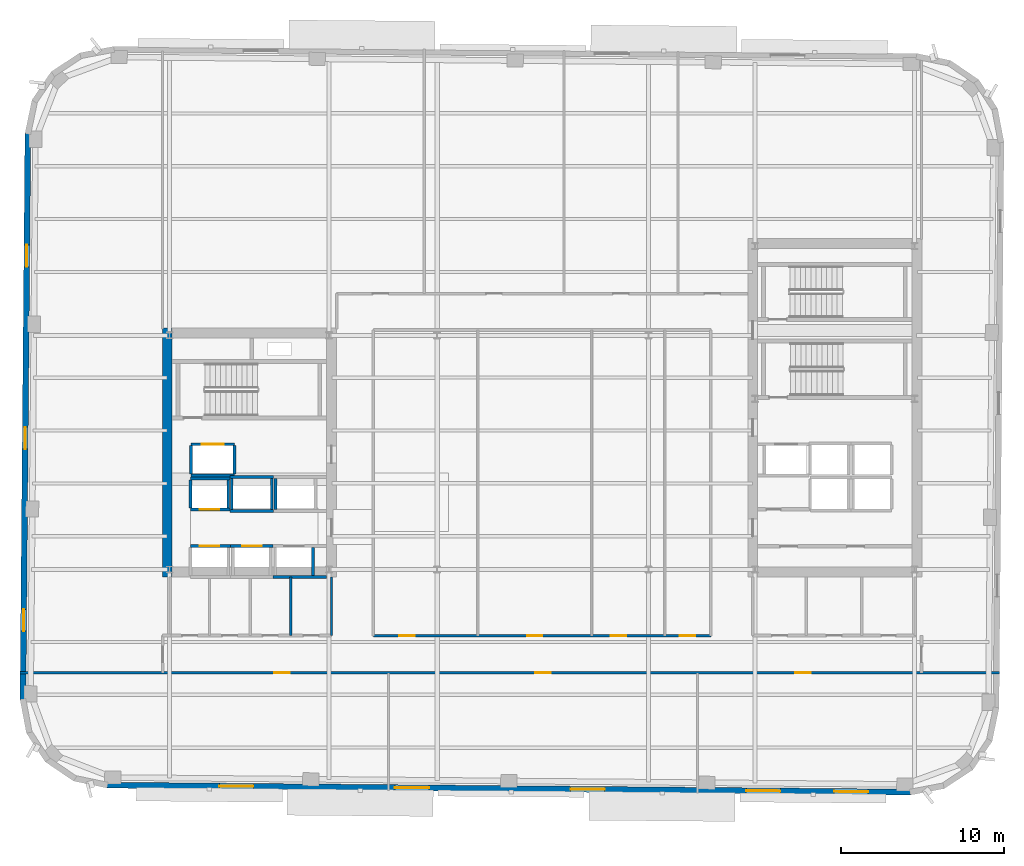
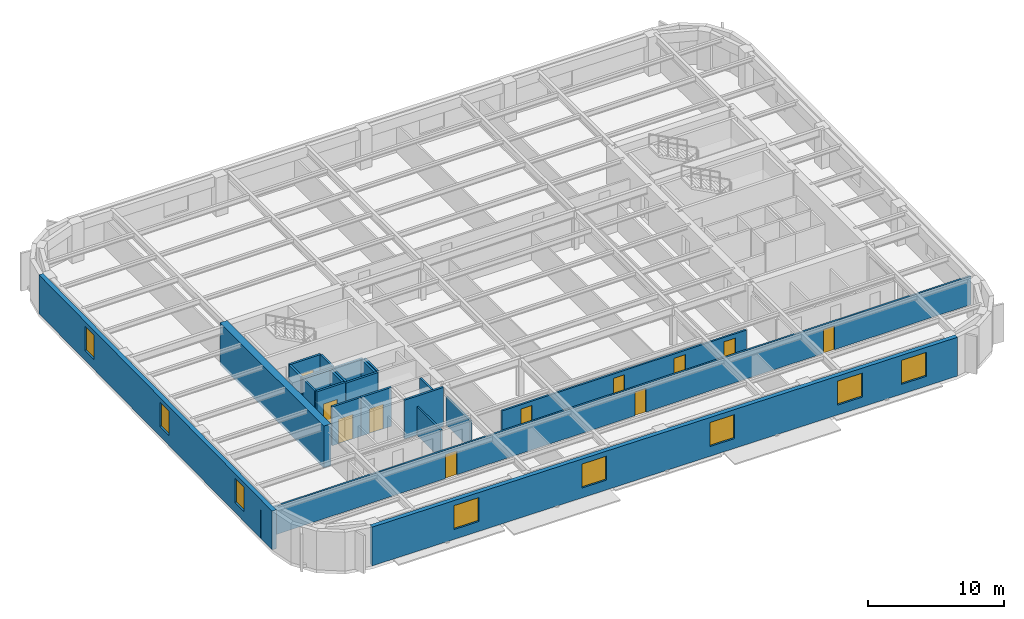
# One storey, part 4 of 12: 24 walls, 11 doors, 8 windows, 19 openings.
"""IFC4 building model written with IfcOpenShell, lengths in metres."""

import ifcopenshell
import ifcopenshell.guid

model = None  # the IFC model being written
_history = None  # IfcOwnerHistory: only IFC2X3 demands one
_inside = {}  # id of a spatial element -> (the spatial element, [elements in it])
_under = {}  # id of a project, library or spatial element -> (it, [spatial elements below it])
_declared = {}  # id of a project -> (the project, [libraries it declares])
_typed = {}  # id of a type object -> (the type object, [elements of that type])
_made_of = {}  # id of a material, layer set ... -> (it, [elements and type objects made of it])


def new_model(schema):
    """Start an empty IFC model of exactly this schema.

    Asked for "IFC4X3", IfcOpenShell would pick the latest addendum, in which some entities
    have other attributes; the version numbers below select the first issue.
    IFC2X3 requires an IfcOwnerHistory on every rooted entity: one is made here for all.
    """
    global model, _history
    if schema == "IFC4X3":
        model = ifcopenshell.file(schema_version=(4, 3, 0, 0))
    else:
        model = ifcopenshell.file(schema=schema)
    _inside.clear()
    _under.clear()
    _declared.clear()
    _typed.clear()
    _made_of.clear()
    _history = None
    if model.schema == "IFC2X3":
        org = make("IfcOrganization", Name="unknown")
        user = make(
            "IfcPersonAndOrganization",
            ThePerson=make("IfcPerson", FamilyName="unknown"),
            TheOrganization=org,
        )
        app = make(
            "IfcApplication",
            ApplicationDeveloper=org,
            Version="unknown",
            ApplicationFullName="unknown",
            ApplicationIdentifier="unknown",
        )
        _history = make(
            "IfcOwnerHistory",
            OwningUser=user,
            OwningApplication=app,
            ChangeAction="ADDED",
            CreationDate=0,
        )
    return model


def make(cls, **values):
    """One entity of the class cls with the attributes given. An attribute that is None is left unset."""
    return model.create_entity(
        cls, **{name: value for name, value in values.items() if value is not None}
    )


def rooted(cls, **values):
    """An entity with a GlobalId (a new one), such as an element, a storey or a relation."""
    return make(cls, GlobalId=ifcopenshell.guid.new(), OwnerHistory=_history, **values)


def si_unit(unit_type, name, prefix=None):
    """IfcSIUnit, for example si_unit("LENGTHUNIT", "METRE", prefix="MILLI")."""
    return make("IfcSIUnit", UnitType=unit_type, Prefix=prefix, Name=name)


def assignment(units):
    """IfcUnitAssignment: the units of a project."""
    return None if units is None else make("IfcUnitAssignment", Units=units)


def point(xyz):
    """IfcCartesianPoint."""
    return None if xyz is None else make("IfcCartesianPoint", Coordinates=xyz)


def direction(xyz):
    """IfcDirection."""
    return None if xyz is None else make("IfcDirection", DirectionRatios=xyz)


def frame(location, z_axis=None, x_axis=None):
    """IfcAxis2Placement3D, a coordinate frame: its origin and axes. An axis left out is left unset."""
    return make(
        "IfcAxis2Placement3D",
        Location=point(location),
        Axis=direction(z_axis),
        RefDirection=direction(x_axis),
    )


def frame_2d(location, x_axis=None):
    """IfcAxis2Placement2D, a coordinate frame in the plane: its origin and x axis."""
    return make(
        "IfcAxis2Placement2D", Location=point(location), RefDirection=direction(x_axis)
    )


def origin():
    """The frame at (0, 0, 0) with its axes left unset."""
    return frame((0.0, 0.0, 0.0))


def place(relative_to, where):
    """IfcLocalPlacement: puts the frame where relative to a parent placement (None: the world)."""
    return make(
        "IfcLocalPlacement", PlacementRelTo=relative_to, RelativePlacement=where
    )


def context(
    kind, dimensions, precision=None, world=None, true_north=None, identifier=None
):
    """IfcGeometricRepresentationContext, for example the 3D "Model" context."""
    return make(
        "IfcGeometricRepresentationContext",
        ContextIdentifier=identifier,
        ContextType=kind,
        CoordinateSpaceDimension=dimensions,
        Precision=precision,
        WorldCoordinateSystem=world,
        TrueNorth=true_north,
    )


def subcontext(parent, identifier, kind, view, scale=None):
    """IfcGeometricRepresentationSubContext, for example "Body" below "Model"."""
    return make(
        "IfcGeometricRepresentationSubContext",
        ContextIdentifier=identifier,
        ContextType=kind,
        ParentContext=parent,
        TargetScale=scale,
        TargetView=view,
    )


def project(units=None, contexts=None):
    """IfcProject with its units and contexts."""
    return rooted(
        "IfcProject",
        Name="project",
        RepresentationContexts=contexts,
        UnitsInContext=assignment(units),
    )


def spatial(cls, under=None, at=None, **own):
    """A site, building, storey or space (cls), placed at a placement, below another one or the project."""
    s = rooted(cls, ObjectPlacement=at, **own)
    if under is not None:
        _under.setdefault(under.id(), (under, []))[1].append(s)
    return s


def profile(cls, at=None, kind="AREA", **sizes):
    """A parametric profile (cls). Its sizes go by their IFC names, for example OverallWidth=200.0."""
    return make(cls, ProfileType=kind, Position=at, **sizes)


def rectangle(**sizes):
    """IfcRectangleProfileDef."""
    return profile("IfcRectangleProfileDef", **sizes)


def extrude(swept, where, along, depth):
    """IfcExtrudedAreaSolid: the profile swept, set in the frame where, extruded along a direction by depth."""
    return make(
        "IfcExtrudedAreaSolid",
        SweptArea=swept,
        Position=where,
        ExtrudedDirection=direction(along),
        Depth=depth,
    )


def shape(context_of_items, identifier, shape_type, items):
    """IfcShapeRepresentation: the items that make up one representation, for example the "Body"."""
    return make(
        "IfcShapeRepresentation",
        ContextOfItems=context_of_items,
        RepresentationIdentifier=identifier,
        RepresentationType=shape_type,
        Items=items,
    )


def material(Name=None, Category=None):
    """IfcMaterial."""
    return make("IfcMaterial", Name=Name, Category=Category)


def layer(
    of_material, thickness, ventilated=None, Name=None, Category=None, Priority=None
):
    """IfcMaterialLayer: one layer of a wall or slab, of a material (None: an air gap)."""
    return make(
        "IfcMaterialLayer",
        Material=of_material,
        LayerThickness=thickness,
        IsVentilated=ventilated,
        Name=Name,
        Category=Category,
        Priority=Priority,
    )


def layer_set(layers, Name=None):
    """IfcMaterialLayerSet."""
    return make("IfcMaterialLayerSet", MaterialLayers=layers, LayerSetName=Name)


def made_of(thing, what):
    """Note that an element or type object is made of a material, layer set ...; save() writes the relation."""
    if what is not None:
        _made_of.setdefault(what.id(), (what, []))[1].append(thing)
    return thing


def type_object(cls, material=None, **own):
    """A type object (cls), such as IfcWallType, which elements share."""
    return made_of(rooted(cls, **own), material)


def element(
    cls,
    number,
    at=None,
    inside=None,
    cuts=None,
    type_object=None,
    material=None,
    context=None,
    identifier="Body",
    shape_type=None,
    held_by="IfcProductDefinitionShape",
    body=None,
    shapes=None,
    **own,
):
    """One element of the class cls, such as IfcWall. Its Tag is "e" and its number.

    at: its placement. inside: the storey or other place that contains it. cuts: it is an
    opening in that element (IfcRelVoidsElement). A single representation is given by context,
    identifier, shape_type and body (its items); several are given by shapes. held_by: the class
    of the entity that holds the representations. save() writes the other relations.
    """
    e = rooted(cls, Tag="e%d" % number, ObjectPlacement=at, **own)
    if body is not None:
        shapes = [shape(context, identifier, shape_type, body)]
    if shapes is not None:
        e.Representation = make(held_by, Representations=shapes)
    if inside is not None:
        _inside.setdefault(inside.id(), (inside, []))[1].append(e)
    if cuts is not None:
        rooted(
            "IfcRelVoidsElement", RelatingBuildingElement=cuts, RelatedOpeningElement=e
        )
    if type_object is not None:
        _typed.setdefault(type_object.id(), (type_object, []))[1].append(e)
    return made_of(e, material)


def fill(opening, filler):
    """IfcRelFillsElement: the door or window that sits in an opening."""
    return rooted(
        "IfcRelFillsElement",
        RelatingOpeningElement=opening,
        RelatedBuildingElement=filler,
    )


def aggregate(whole, parts):
    """IfcRelAggregates: a whole, such as a stair, and the parts it consists of."""
    return rooted("IfcRelAggregates", RelatingObject=whole, RelatedObjects=parts)


def save(model, path):
    """Write the relations noted so far, then the file.

    IfcRelAggregates (storeys below a building ...), IfcRelContainedInSpatialStructure (elements
    in a storey), IfcRelDefinesByType, IfcRelAssociatesMaterial and IfcRelDeclares: one each for
    every whole, place, type object, material and project.
    """
    for whole, parts in _under.values():
        aggregate(whole, parts)
    for where, things in _inside.values():
        rooted(
            "IfcRelContainedInSpatialStructure",
            RelatedElements=things,
            RelatingStructure=where,
        )
    for kind, things in _typed.values():
        rooted("IfcRelDefinesByType", RelatedObjects=things, RelatingType=kind)
    for what, things in _made_of.values():
        rooted("IfcRelAssociatesMaterial", RelatedObjects=things, RelatingMaterial=what)
    for by, libraries in _declared.values():
        rooted("IfcRelDeclares", RelatingContext=by, RelatedDefinitions=libraries)
    model.write(path)


model = new_model("IFC4")

# Units and contexts
model_context = context("Model", 3, precision=1e-05, world=origin(), true_north=direction((0.0, 1.0)))
body_context = subcontext(model_context, "Body", "Model", "MODEL_VIEW")
ifc_project = project(units=[si_unit("LENGTHUNIT", "METRE"), si_unit("AREAUNIT", "SQUARE_METRE"), si_unit("VOLUMEUNIT", "CUBIC_METRE"), si_unit("PLANEANGLEUNIT", "RADIAN"), si_unit("MASSUNIT", "GRAM", prefix="KILO")], contexts=[model_context])

# Site, building, storey
site_placement = place(None, origin())
site = spatial("IfcSite", under=ifc_project, at=site_placement, CompositionType="ELEMENT")
building_placement = place(site_placement, origin())
building = spatial("IfcBuilding", under=site, at=building_placement, Name="Kolvaren Arena Tower", CompositionType="ELEMENT")
storey_placement = place(building_placement, frame((0.0, 0.0, 177.199951171875)))
storey = spatial("IfcBuildingStorey", under=building, at=storey_placement, Name="L42", CompositionType="ELEMENT", Elevation=177.199951171875)

# Wall, openings, doors
ifc_material_1 = material(Name="Gypsum board acoustic assembly", Category="gypsum")
ifc_layer_1 = layer(ifc_material_1, 0.159912109375)
ifc_layer_set_1 = layer_set([ifc_layer_1], Name="Gypsum board acoustic assembly")
wall_type_1 = type_object("IfcWallType", Name="CORR-160", PredefinedType="PARTITIONING", material=ifc_layer_set_1)
wall_1_placement = place(storey_placement, frame((5.363525390625, 13.10009765625, 0.0), z_axis=(0.0, 0.0, 1.0), x_axis=(1.0, 0.0, 0.0)))
wall_1 = element("IfcWall", 1, at=wall_1_placement, inside=storey, type_object=wall_type_1, Name="Interior Partition Wall (L42)", PredefinedType="PARTITIONING", context=body_context, shape_type="SweptSolid", body=[
    extrude(rectangle(XDim=60.202392578125, YDim=0.159912109375, at=frame_2d((30.10107421875, 0.0))), origin(), (0.0, 0.0, 1.0), 2.5400390625),
])
opening_1_placement = place(wall_1_placement, frame((15.611328125, 0.0, 0.0)))
opening_1 = element("IfcOpeningElement", 2, at=opening_1_placement, cuts=wall_1, Name="Opening D05", PredefinedType="OPENING", context=body_context, shape_type="SweptSolid", body=[
    extrude(rectangle(XDim=0.949951171875, YDim=2.14990234375, at=frame_2d((0.47509765625, 1.074951171875))), frame((0.0, 0.08984375, 0.0), z_axis=(0.0, -1.0, 0.0), x_axis=(1.0, 0.0, 0.0)), (0.0, 0.0, 1.0), 0.179931640625),
])
opening_2_placement = place(wall_1_placement, frame((31.661376953125, 0.0, 0.0)))
opening_2 = element("IfcOpeningElement", 3, at=opening_2_placement, cuts=wall_1, Name="Opening D05", PredefinedType="OPENING", context=body_context, shape_type="SweptSolid", body=[
    extrude(rectangle(XDim=0.949951171875, YDim=2.14990234375, at=frame_2d((0.47509765625, 1.074951171875))), frame((0.0, 0.08984375, 0.0), z_axis=(0.0, -1.0, 0.0), x_axis=(1.0, 0.0, 0.0)), (0.0, 0.0, 1.0), 0.179931640625),
])
opening_3_placement = place(wall_1_placement, frame((47.661376953125, 0.0, 0.0)))
opening_3 = element("IfcOpeningElement", 4, at=opening_3_placement, cuts=wall_1, Name="Opening D05", PredefinedType="OPENING", context=body_context, shape_type="SweptSolid", body=[
    extrude(rectangle(XDim=0.949951171875, YDim=2.14990234375, at=frame_2d((0.47509765625, 1.074951171875))), frame((0.0, 0.08984375, 0.0), z_axis=(0.0, -1.0, 0.0), x_axis=(1.0, 0.0, 0.0)), (0.0, 0.0, 1.0), 0.179931640625),
])
ifc_material_2 = material(Name="Solid-core oak acoustic office door", Category="wood")
door_type_1 = type_object("IfcDoorType", Name="DOOR-OF-095", OperationType="NOTDEFINED", PredefinedType="DOOR", material=ifc_material_2)
door_1_placement = place(opening_1_placement, origin())
door_1 = element("IfcDoor", 5, at=door_1_placement, inside=storey, type_object=door_type_1, Name="Collaborative Work Studio Door (L42)", OperationType="SINGLE_SWING_RIGHT", OverallHeight=2.14990234375, OverallWidth=0.949951171875, PredefinedType="DOOR", context=body_context, shape_type="SweptSolid", body=[
    extrude(rectangle(XDim=0.949951171875, YDim=2.14990234375, at=frame_2d((0.47509765625, 1.074951171875))), frame((0.0, 0.02490234375, 0.0), z_axis=(0.0, -1.0, 0.0), x_axis=(1.0, 0.0, 0.0)), (0.0, 0.0, 1.0), 0.050048828125),
])
fill(opening_1, door_1)
door_2_placement = place(opening_2_placement, origin())
door_2 = element("IfcDoor", 6, at=door_2_placement, inside=storey, type_object=door_type_1, Name="Collaborative Work Studio Door (L42)", OperationType="SINGLE_SWING_LEFT", OverallHeight=2.14990234375, OverallWidth=0.949951171875, PredefinedType="DOOR", context=body_context, shape_type="SweptSolid", body=[
    extrude(rectangle(XDim=0.949951171875, YDim=2.14990234375, at=frame_2d((0.47509765625, 1.074951171875))), frame((0.0, 0.02490234375, 0.0), z_axis=(0.0, -1.0, 0.0), x_axis=(1.0, 0.0, 0.0)), (0.0, 0.0, 1.0), 0.050048828125),
])
fill(opening_2, door_2)
door_3_placement = place(opening_3_placement, origin())
door_3 = element("IfcDoor", 7, at=door_3_placement, inside=storey, type_object=door_type_1, Name="Collaborative Work Studio Door (L42)", OperationType="SINGLE_SWING_RIGHT", OverallHeight=2.14990234375, OverallWidth=0.949951171875, PredefinedType="DOOR", context=body_context, shape_type="SweptSolid", body=[
    extrude(rectangle(XDim=0.949951171875, YDim=2.14990234375, at=frame_2d((0.47509765625, 1.074951171875))), frame((0.0, 0.02490234375, 0.0), z_axis=(0.0, -1.0, 0.0), x_axis=(1.0, 0.0, 0.0)), (0.0, 0.0, 1.0), 0.050048828125),
])
fill(opening_3, door_3)

wall_2_placement = place(storey_placement, frame((27.080078125, 15.3798828125, 0.0), z_axis=(0.0, 0.0, 1.0), x_axis=(1.0, 0.0, 0.0)))
wall_2 = element("IfcWall", 8, at=wall_2_placement, inside=storey, type_object=wall_type_1, Name="Interior Partition Wall (L42)", PredefinedType="PARTITIONING", context=body_context, shape_type="SweptSolid", body=[
    extrude(rectangle(XDim=20.739990234375, YDim=0.159912109375, at=frame_2d((10.3701171875, 0.0))), origin(), (0.0, 0.0, 1.0), 2.5400390625),
])
opening_4_placement = place(wall_2_placement, frame((1.594970703125, 0.0, 0.0)))
opening_4 = element("IfcOpeningElement", 9, at=opening_4_placement, cuts=wall_2, Name="Opening D05", PredefinedType="OPENING", context=body_context, shape_type="SweptSolid", body=[
    extrude(rectangle(XDim=0.949951171875, YDim=2.14990234375, at=frame_2d((0.47509765625, 1.074951171875))), frame((0.0, 0.08984375, 0.0), z_axis=(0.0, -1.0, 0.0), x_axis=(1.0, 0.0, 0.0)), (0.0, 0.0, 1.0), 0.179931640625),
])
opening_5_placement = place(wall_2_placement, frame((9.445068359375, 0.0, 0.0)))
opening_5 = element("IfcOpeningElement", 10, at=opening_5_placement, cuts=wall_2, Name="Opening D05", PredefinedType="OPENING", context=body_context, shape_type="SweptSolid", body=[
    extrude(rectangle(XDim=0.949951171875, YDim=2.14990234375, at=frame_2d((0.47509765625, 1.074951171875))), frame((0.0, 0.08984375, 0.0), z_axis=(0.0, -1.0, 0.0), x_axis=(1.0, 0.0, 0.0)), (0.0, 0.0, 1.0), 0.179931640625),
])
opening_6_placement = place(wall_2_placement, frame((14.594970703125, 0.0, 0.0)))
opening_6 = element("IfcOpeningElement", 11, at=opening_6_placement, cuts=wall_2, Name="Opening D05", PredefinedType="OPENING", context=body_context, shape_type="SweptSolid", body=[
    extrude(rectangle(XDim=0.949951171875, YDim=2.14990234375, at=frame_2d((0.47509765625, 1.074951171875))), frame((0.0, 0.08984375, 0.0), z_axis=(0.0, -1.0, 0.0), x_axis=(1.0, 0.0, 0.0)), (0.0, 0.0, 1.0), 0.179931640625),
])
opening_7_placement = place(wall_2_placement, frame((18.844970703125, 0.0, 0.0)))
opening_7 = element("IfcOpeningElement", 12, at=opening_7_placement, cuts=wall_2, Name="Opening D05", PredefinedType="OPENING", context=body_context, shape_type="SweptSolid", body=[
    extrude(rectangle(XDim=0.949951171875, YDim=2.14990234375, at=frame_2d((0.47509765625, 1.074951171875))), frame((0.0, 0.08984375, 0.0), z_axis=(0.0, -1.0, 0.0), x_axis=(1.0, 0.0, 0.0)), (0.0, 0.0, 1.0), 0.179931640625),
])
door_4_placement = place(opening_4_placement, origin())
door_4 = element("IfcDoor", 13, at=door_4_placement, inside=storey, type_object=door_type_1, Name="Collaborative Work Studio Door (L42)", OperationType="SINGLE_SWING_LEFT", OverallHeight=2.14990234375, OverallWidth=0.949951171875, PredefinedType="DOOR", context=body_context, shape_type="SweptSolid", body=[
    extrude(rectangle(XDim=0.949951171875, YDim=2.14990234375, at=frame_2d((0.47509765625, 1.074951171875))), frame((0.0, 0.02490234375, 0.0), z_axis=(0.0, -1.0, 0.0), x_axis=(1.0, 0.0, 0.0)), (0.0, 0.0, 1.0), 0.050048828125),
])
fill(opening_4, door_4)
door_5_placement = place(opening_5_placement, origin())
door_5 = element("IfcDoor", 14, at=door_5_placement, inside=storey, type_object=door_type_1, Name="Collaborative Work Studio Door (L42)", OperationType="SINGLE_SWING_RIGHT", OverallHeight=2.14990234375, OverallWidth=0.949951171875, PredefinedType="DOOR", context=body_context, shape_type="SweptSolid", body=[
    extrude(rectangle(XDim=0.949951171875, YDim=2.14990234375, at=frame_2d((0.47509765625, 1.074951171875))), frame((0.0, 0.02490234375, 0.0), z_axis=(0.0, -1.0, 0.0), x_axis=(1.0, 0.0, 0.0)), (0.0, 0.0, 1.0), 0.050048828125),
])
fill(opening_5, door_5)
door_6_placement = place(opening_6_placement, origin())
door_6 = element("IfcDoor", 15, at=door_6_placement, inside=storey, type_object=door_type_1, Name="Executive Office Door (L42)", OperationType="SINGLE_SWING_LEFT", OverallHeight=2.14990234375, OverallWidth=0.949951171875, PredefinedType="DOOR", context=body_context, shape_type="SweptSolid", body=[
    extrude(rectangle(XDim=0.949951171875, YDim=2.14990234375, at=frame_2d((0.47509765625, 1.074951171875))), frame((0.0, 0.02490234375, 0.0), z_axis=(0.0, -1.0, 0.0), x_axis=(1.0, 0.0, 0.0)), (0.0, 0.0, 1.0), 0.050048828125),
])
fill(opening_6, door_6)
door_7_placement = place(opening_7_placement, origin())
door_7 = element("IfcDoor", 16, at=door_7_placement, inside=storey, type_object=door_type_1, Name="Boardroom Door (L42)", OperationType="SINGLE_SWING_RIGHT", OverallHeight=2.14990234375, OverallWidth=0.949951171875, PredefinedType="DOOR", context=body_context, shape_type="SweptSolid", body=[
    extrude(rectangle(XDim=0.949951171875, YDim=2.14990234375, at=frame_2d((0.47509765625, 1.074951171875))), frame((0.0, 0.02490234375, 0.0), z_axis=(0.0, -1.0, 0.0), x_axis=(1.0, 0.0, 0.0)), (0.0, 0.0, 1.0), 0.050048828125),
])
fill(opening_7, door_7)

# Wall
ifc_material_3 = material(Name="Concrete 60 MPa", Category="concrete")
ifc_layer_2 = layer(ifc_material_3, 0.60009765625)
ifc_layer_set_2 = layer_set([ifc_layer_2], Name="Concrete 60 MPa")
wall_type_2 = type_object("IfcWallType", Name="CWALL-600", PredefinedType="SHEAR", material=ifc_layer_set_2)
wall_3_placement = place(storey_placement, frame((14.39990234375, 19.0, -0.27001953125), z_axis=(0.0, 0.0, 1.0), x_axis=(0.0, 1.0, 0.0)))
element("IfcWall", 17, at=wall_3_placement, inside=storey, type_object=wall_type_2, Name="Core Shear Wall WC-WEST (L42)", PredefinedType="SHEAR", context=body_context, shape_type="SweptSolid", body=[
    extrude(rectangle(XDim=15.300048828125, YDim=0.60009765625, at=frame_2d((7.64990234375, 0.0))), origin(), (0.0, 0.0, 1.0), 3.75),
])

# Wall, openings, windows
ifc_material_4 = material(Name="Precast concrete C50/60", Category="concrete")
ifc_layer_3 = layer(ifc_material_4, 0.360107421875)
ifc_layer_set_3 = layer_set([ifc_layer_3], Name="Precast concrete C50/60")
wall_type_3 = type_object("IfcWallType", Name="EXT-PIER2", PredefinedType="SOLIDWALL", material=ifc_layer_set_3)
wall_4_placement = place(storey_placement, frame((5.529296875, 11.461669921875, 0.0), z_axis=(0.0, 0.0, 1.0), x_axis=(0.008727287311, 0.999961916503, 0.0)))
wall_4 = element("IfcWall", 18, at=wall_4_placement, inside=storey, type_object=wall_type_3, Name="Exterior Precast Masonry-Frame Wall (L42)", PredefinedType="SOLIDWALL", context=body_context, shape_type="SweptSolid", body=[
    extrude(rectangle(XDim=34.800048828125, YDim=0.360107421875, at=frame_2d((17.39990234375, 0.0))), origin(), (0.0, 0.0, 1.0), 3.47998046875),
])
opening_8_placement = place(wall_4_placement, frame((4.199951171875, 0.0, 0.8798828125)))
opening_8 = element("IfcOpeningElement", 19, at=opening_8_placement, cuts=wall_4, Name="Opening W04", PredefinedType="OPENING", context=body_context, shape_type="SweptSolid", body=[
    extrude(rectangle(XDim=1.35009765625, YDim=2.199951171875, at=frame_2d((0.675048828125, 1.10009765625))), frame((0.0, 0.18994140625, 0.0), z_axis=(0.0, -1.0, 0.0), x_axis=(1.0, 0.0, 0.0)), (0.0, 0.0, 1.0), 0.380126953125),
])
opening_9_placement = place(wall_4_placement, frame((15.39990234375, 0.0, 0.8798828125)))
opening_9 = element("IfcOpeningElement", 20, at=opening_9_placement, cuts=wall_4, Name="Opening W04", PredefinedType="OPENING", context=body_context, shape_type="SweptSolid", body=[
    extrude(rectangle(XDim=1.35009765625, YDim=2.199951171875, at=frame_2d((0.675048828125, 1.10009765625))), frame((0.0, 0.18994140625, 0.0), z_axis=(0.0, -1.0, 0.0), x_axis=(1.0, 0.0, 0.0)), (0.0, 0.0, 1.0), 0.380126953125),
])
opening_10_placement = place(wall_4_placement, frame((26.60009765625, 0.0, 0.8798828125)))
opening_10 = element("IfcOpeningElement", 21, at=opening_10_placement, cuts=wall_4, Name="Opening W04", PredefinedType="OPENING", context=body_context, shape_type="SweptSolid", body=[
    extrude(rectangle(XDim=1.35009765625, YDim=2.199951171875, at=frame_2d((0.675048828125, 1.10009765625))), frame((0.0, 0.18994140625, 0.0), z_axis=(0.0, -1.0, 0.0), x_axis=(1.0, 0.0, 0.0)), (0.0, 0.0, 1.0), 0.380126953125),
])
ifc_material_5 = material(Name="Triple-glazed curved-facet corner window", Category="glass")
window_type_1 = type_object("IfcWindowType", Name="WIN-CRN-A", PartitioningType="SINGLE_PANEL", PredefinedType="WINDOW", material=ifc_material_5)
window_1_placement = place(opening_8_placement, origin())
window_1 = element("IfcWindow", 22, at=window_1_placement, inside=storey, type_object=window_type_1, Name="End-Wall Punched Window (L42)", OverallHeight=2.199951171875, OverallWidth=1.35009765625, PartitioningType="SINGLE_PANEL", PredefinedType="WINDOW", context=body_context, shape_type="SweptSolid", body=[
    extrude(rectangle(XDim=1.35009765625, YDim=2.199951171875, at=frame_2d((0.675048828125, 1.10009765625))), frame((0.0, 0.030029296875, 0.0), z_axis=(0.0, -1.0, 0.0), x_axis=(1.0, 0.0, 0.0)), (0.0, 0.0, 1.0), 0.06005859375),
])
fill(opening_8, window_1)
window_2_placement = place(opening_9_placement, origin())
window_2 = element("IfcWindow", 23, at=window_2_placement, inside=storey, type_object=window_type_1, Name="End-Wall Punched Window (L42)", OverallHeight=2.199951171875, OverallWidth=1.35009765625, PartitioningType="SINGLE_PANEL", PredefinedType="WINDOW", context=body_context, shape_type="SweptSolid", body=[
    extrude(rectangle(XDim=1.35009765625, YDim=2.199951171875, at=frame_2d((0.675048828125, 1.10009765625))), frame((0.0, 0.030029296875, 0.0), z_axis=(0.0, -1.0, 0.0), x_axis=(1.0, 0.0, 0.0)), (0.0, 0.0, 1.0), 0.06005859375),
])
fill(opening_9, window_2)
window_3_placement = place(opening_10_placement, origin())
window_3 = element("IfcWindow", 24, at=window_3_placement, inside=storey, type_object=window_type_1, Name="End-Wall Punched Window (L42)", OverallHeight=2.199951171875, OverallWidth=1.35009765625, PartitioningType="SINGLE_PANEL", PredefinedType="WINDOW", context=body_context, shape_type="SweptSolid", body=[
    extrude(rectangle(XDim=1.35009765625, YDim=2.199951171875, at=frame_2d((0.675048828125, 1.10009765625))), frame((0.0, 0.030029296875, 0.0), z_axis=(0.0, -1.0, 0.0), x_axis=(1.0, 0.0, 0.0)), (0.0, 0.0, 1.0), 0.06005859375),
])
fill(opening_10, window_3)

wall_5_placement = place(storey_placement, frame((60.101806640625, 5.765380859375, 0.0), z_axis=(0.0, 0.0, 1.0), x_axis=(-0.999961955436, 0.008722825272, 0.0)))
wall_5 = element("IfcWall", 25, at=wall_5_placement, inside=storey, type_object=wall_type_3, Name="Exterior Precast Masonry-Frame Wall (L42)", PredefinedType="SOLIDWALL", context=body_context, shape_type="SweptSolid", body=[
    extrude(rectangle(XDim=49.400146484375, YDim=0.360107421875, at=frame_2d((24.7001953125, 0.0))), origin(), (0.0, 0.0, 1.0), 3.47998046875),
])
opening_11_placement = place(wall_5_placement, frame((2.60009765625, 0.0, 0.8798828125)))
opening_11 = element("IfcOpeningElement", 26, at=opening_11_placement, cuts=wall_5, Name="Opening W01", PredefinedType="OPENING", context=body_context, shape_type="SweptSolid", body=[
    extrude(rectangle(XDim=2.10009765625, YDim=2.14990234375, at=frame_2d((1.050048828125, 1.074951171875))), frame((0.0, 0.18994140625, 0.0), z_axis=(0.0, -1.0, 0.0), x_axis=(1.0, 0.0, 0.0)), (0.0, 0.0, 1.0), 0.380126953125),
])
opening_12_placement = place(wall_5_placement, frame((8.0, 0.0, 0.8798828125)))
opening_12 = element("IfcOpeningElement", 27, at=opening_12_placement, cuts=wall_5, Name="Opening W01", PredefinedType="OPENING", context=body_context, shape_type="SweptSolid", body=[
    extrude(rectangle(XDim=2.10009765625, YDim=2.14990234375, at=frame_2d((1.050048828125, 1.074951171875))), frame((0.0, 0.18994140625, 0.0), z_axis=(0.0, -1.0, 0.0), x_axis=(1.0, 0.0, 0.0)), (0.0, 0.0, 1.0), 0.380126953125),
])
opening_13_placement = place(wall_5_placement, frame((18.800048828125, 0.0, 0.8798828125)))
opening_13 = element("IfcOpeningElement", 28, at=opening_13_placement, cuts=wall_5, Name="Opening W01", PredefinedType="OPENING", context=body_context, shape_type="SweptSolid", body=[
    extrude(rectangle(XDim=2.10009765625, YDim=2.14990234375, at=frame_2d((1.050048828125, 1.074951171875))), frame((0.0, 0.18994140625, 0.0), z_axis=(0.0, -1.0, 0.0), x_axis=(1.0, 0.0, 0.0)), (0.0, 0.0, 1.0), 0.380126953125),
])
opening_14_placement = place(wall_5_placement, frame((29.60009765625, 0.0, 0.8798828125)))
opening_14 = element("IfcOpeningElement", 29, at=opening_14_placement, cuts=wall_5, Name="Opening W01", PredefinedType="OPENING", context=body_context, shape_type="SweptSolid", body=[
    extrude(rectangle(XDim=2.10009765625, YDim=2.14990234375, at=frame_2d((1.050048828125, 1.074951171875))), frame((0.0, 0.18994140625, 0.0), z_axis=(0.0, -1.0, 0.0), x_axis=(1.0, 0.0, 0.0)), (0.0, 0.0, 1.0), 0.380126953125),
])
opening_15_placement = place(wall_5_placement, frame((40.39990234375, 0.0, 0.8798828125)))
opening_15 = element("IfcOpeningElement", 30, at=opening_15_placement, cuts=wall_5, Name="Opening W01", PredefinedType="OPENING", context=body_context, shape_type="SweptSolid", body=[
    extrude(rectangle(XDim=2.10009765625, YDim=2.14990234375, at=frame_2d((1.050048828125, 1.074951171875))), frame((0.0, 0.18994140625, 0.0), z_axis=(0.0, -1.0, 0.0), x_axis=(1.0, 0.0, 0.0)), (0.0, 0.0, 1.0), 0.380126953125),
])
ifc_material_6 = material(Name="Triple-glazed low-E aluminium window", Category="aluminium")
window_type_2 = type_object("IfcWindowType", Name="WIN-OFF-A", PartitioningType="DOUBLE_PANEL_VERTICAL", PredefinedType="WINDOW", material=ifc_material_6)
window_4_placement = place(opening_11_placement, origin())
window_4 = element("IfcWindow", 31, at=window_4_placement, inside=storey, type_object=window_type_2, Name="Punched Precast-Pier Window (L42)", OverallHeight=2.14990234375, OverallWidth=2.10009765625, PartitioningType="DOUBLE_PANEL_VERTICAL", PredefinedType="WINDOW", context=body_context, shape_type="SweptSolid", body=[
    extrude(rectangle(XDim=2.10009765625, YDim=2.14990234375, at=frame_2d((1.050048828125, 1.074951171875))), frame((0.0, 0.030029296875, 0.0), z_axis=(0.0, -1.0, 0.0), x_axis=(1.0, 0.0, 0.0)), (0.0, 0.0, 1.0), 0.06005859375),
])
fill(opening_11, window_4)
window_5_placement = place(opening_12_placement, origin())
window_5 = element("IfcWindow", 32, at=window_5_placement, inside=storey, type_object=window_type_2, Name="Punched Precast-Pier Window (L42)", OverallHeight=2.14990234375, OverallWidth=2.10009765625, PartitioningType="DOUBLE_PANEL_VERTICAL", PredefinedType="WINDOW", context=body_context, shape_type="SweptSolid", body=[
    extrude(rectangle(XDim=2.10009765625, YDim=2.14990234375, at=frame_2d((1.050048828125, 1.074951171875))), frame((0.0, 0.030029296875, 0.0), z_axis=(0.0, -1.0, 0.0), x_axis=(1.0, 0.0, 0.0)), (0.0, 0.0, 1.0), 0.06005859375),
])
fill(opening_12, window_5)
window_6_placement = place(opening_13_placement, origin())
window_6 = element("IfcWindow", 33, at=window_6_placement, inside=storey, type_object=window_type_2, Name="Punched Precast-Pier Window (L42)", OverallHeight=2.14990234375, OverallWidth=2.10009765625, PartitioningType="DOUBLE_PANEL_VERTICAL", PredefinedType="WINDOW", context=body_context, shape_type="SweptSolid", body=[
    extrude(rectangle(XDim=2.10009765625, YDim=2.14990234375, at=frame_2d((1.050048828125, 1.074951171875))), frame((0.0, 0.030029296875, 0.0), z_axis=(0.0, -1.0, 0.0), x_axis=(1.0, 0.0, 0.0)), (0.0, 0.0, 1.0), 0.06005859375),
])
fill(opening_13, window_6)
window_7_placement = place(opening_14_placement, origin())
window_7 = element("IfcWindow", 34, at=window_7_placement, inside=storey, type_object=window_type_2, Name="Punched Precast-Pier Window (L42)", OverallHeight=2.14990234375, OverallWidth=2.10009765625, PartitioningType="DOUBLE_PANEL_VERTICAL", PredefinedType="WINDOW", context=body_context, shape_type="SweptSolid", body=[
    extrude(rectangle(XDim=2.10009765625, YDim=2.14990234375, at=frame_2d((1.050048828125, 1.074951171875))), frame((0.0, 0.030029296875, 0.0), z_axis=(0.0, -1.0, 0.0), x_axis=(1.0, 0.0, 0.0)), (0.0, 0.0, 1.0), 0.06005859375),
])
fill(opening_14, window_7)
window_8_placement = place(opening_15_placement, origin())
window_8 = element("IfcWindow", 35, at=window_8_placement, inside=storey, type_object=window_type_2, Name="Punched Precast-Pier Window (L42)", OverallHeight=2.14990234375, OverallWidth=2.10009765625, PartitioningType="DOUBLE_PANEL_VERTICAL", PredefinedType="WINDOW", context=body_context, shape_type="SweptSolid", body=[
    extrude(rectangle(XDim=2.10009765625, YDim=2.14990234375, at=frame_2d((1.050048828125, 1.074951171875))), frame((0.0, 0.030029296875, 0.0), z_axis=(0.0, -1.0, 0.0), x_axis=(1.0, 0.0, 0.0)), (0.0, 0.0, 1.0), 0.06005859375),
])
fill(opening_15, window_8)

# Wall, opening, door
ifc_material_7 = material(Name="Concrete 45 MPa", Category="concrete")
ifc_layer_4 = layer(ifc_material_7, 0.25)
ifc_layer_set_4 = layer_set([ifc_layer_4], Name="Concrete 45 MPa")
wall_type_4 = type_object("IfcWallType", Name="SHAFT-250", PredefinedType="SOLIDWALL", material=ifc_layer_set_4)
wall_6_placement = place(storey_placement, frame((15.844970703125, 20.905029296875, 0.0), z_axis=(0.0, 0.0, 1.0), x_axis=(1.0, 0.0, 0.0)))
wall_6 = element("IfcWall", 36, at=wall_6_placement, inside=storey, type_object=wall_type_4, Name="Core Shaft Wall (L42)", PredefinedType="SOLIDWALL", context=body_context, shape_type="SweptSolid", body=[
    extrude(rectangle(XDim=2.455078125, YDim=0.179931640625, at=frame_2d((1.2275390625, 0.0))), origin(), (0.0, 0.0, 1.0), 3.47998046875),
])
opening_16_placement = place(wall_6_placement, frame((0.554931640625, 0.0, 0.0)))
opening_16 = element("IfcOpeningElement", 37, at=opening_16_placement, cuts=wall_6, Name="Opening LD1", PredefinedType="OPENING", context=body_context, shape_type="SweptSolid", body=[
    extrude(rectangle(XDim=1.199951171875, YDim=2.199951171875, at=frame_2d((0.60009765625, 1.10009765625))), frame((0.0, 0.099853515625, 0.0), z_axis=(0.0, -1.0, 0.0), x_axis=(1.0, 0.0, 0.0)), (0.0, 0.0, 1.0), 0.199951171875),
])
ifc_material_8 = material(Name="Stainless steel passenger lift landing door", Category="steel")
door_type_2 = type_object("IfcDoorType", Name="DOOR-LD-120", OperationType="DOUBLE_DOOR_SLIDING", PredefinedType="DOOR", material=ifc_material_8)
door_8_placement = place(opening_16_placement, origin())
door_8 = element("IfcDoor", 38, at=door_8_placement, inside=storey, type_object=door_type_2, Name="Lift EL-MR1 Landing Door (L42)", OperationType="DOUBLE_DOOR_SLIDING", OverallHeight=2.199951171875, OverallWidth=1.199951171875, PredefinedType="DOOR", context=body_context, shape_type="SweptSolid", body=[
    extrude(rectangle(XDim=1.199951171875, YDim=2.199951171875, at=frame_2d((0.60009765625, 1.10009765625))), frame((0.0, 0.02490234375, 0.0), z_axis=(0.0, -1.0, 0.0), x_axis=(1.0, 0.0, 0.0)), (0.0, 0.0, 1.0), 0.050048828125),
])
fill(opening_16, door_8)

wall_7_placement = place(storey_placement, frame((18.300048828125, 20.905029296875, 0.0), z_axis=(0.0, 0.0, 1.0), x_axis=(1.0, 0.0, 0.0)))
wall_7 = element("IfcWall", 39, at=wall_7_placement, inside=storey, type_object=wall_type_4, Name="Core Shaft Wall (L42)", PredefinedType="SOLIDWALL", context=body_context, shape_type="SweptSolid", body=[
    extrude(rectangle(XDim=2.599853515625, YDim=0.179931640625, at=frame_2d((1.2998046875, 0.0))), origin(), (0.0, 0.0, 1.0), 3.47998046875),
])
opening_17_placement = place(wall_7_placement, frame((0.699951171875, 0.0, 0.0)))
opening_17 = element("IfcOpeningElement", 40, at=opening_17_placement, cuts=wall_7, Name="Opening LD1", PredefinedType="OPENING", context=body_context, shape_type="SweptSolid", body=[
    extrude(rectangle(XDim=1.199951171875, YDim=2.199951171875, at=frame_2d((0.60009765625, 1.10009765625))), frame((0.0, 0.099853515625, 0.0), z_axis=(0.0, -1.0, 0.0), x_axis=(1.0, 0.0, 0.0)), (0.0, 0.0, 1.0), 0.199951171875),
])
door_9_placement = place(opening_17_placement, origin())
door_9 = element("IfcDoor", 41, at=door_9_placement, inside=storey, type_object=door_type_2, Name="Lift EL-MR2 Landing Door (L42)", OperationType="DOUBLE_DOOR_SLIDING", OverallHeight=2.199951171875, OverallWidth=1.199951171875, PredefinedType="DOOR", context=body_context, shape_type="SweptSolid", body=[
    extrude(rectangle(XDim=1.199951171875, YDim=2.199951171875, at=frame_2d((0.60009765625, 1.10009765625))), frame((0.0, 0.02490234375, 0.0), z_axis=(0.0, -1.0, 0.0), x_axis=(1.0, 0.0, 0.0)), (0.0, 0.0, 1.0), 0.050048828125),
])
fill(opening_17, door_9)

# Walls
wall_8_placement = place(storey_placement, frame((20.89990234375, 18.9951171875, 0.0), z_axis=(0.0, 0.0, 1.0), x_axis=(1.0, 0.0, 0.0)))
element("IfcWall", 42, at=wall_8_placement, inside=storey, type_object=wall_type_4, Name="Core Shaft Wall (L42)", PredefinedType="SOLIDWALL", context=body_context, shape_type="SweptSolid", body=[
    extrude(rectangle(XDim=3.300048828125, YDim=0.179931640625, at=frame_2d((1.64990234375, 0.0))), origin(), (0.0, 0.0, 1.0), 3.47998046875),
])
wall_9_placement = place(storey_placement, frame((23.35498046875, 19.0849609375, 0.0), z_axis=(0.0, 0.0, 1.0), x_axis=(0.0, 1.0, 0.0)))
element("IfcWall", 43, at=wall_9_placement, inside=storey, type_object=wall_type_4, Name="Core Shaft Wall (L42)", PredefinedType="SOLIDWALL", context=body_context, shape_type="SweptSolid", body=[
    extrude(rectangle(XDim=1.72998046875, YDim=0.179931640625, at=frame_2d((0.864990234375, 0.0))), origin(), (0.0, 0.0, 1.0), 3.47998046875),
])
wall_10_placement = place(storey_placement, frame((15.844970703125, 25.054931640625, 0.0), z_axis=(0.0, 0.0, 1.0), x_axis=(1.0, 0.0, 0.0)))
element("IfcWall", 44, at=wall_10_placement, inside=storey, type_object=wall_type_4, Name="Core Shaft Wall (L42)", PredefinedType="SOLIDWALL", context=body_context, shape_type="SweptSolid", body=[
    extrude(rectangle(XDim=2.41748046875, YDim=0.179931640625, at=frame_2d((1.208740234375, 0.0))), origin(), (0.0, 0.0, 1.0), 3.47998046875),
])

# Wall, opening, door
wall_11_placement = place(storey_placement, frame((15.844970703125, 23.14501953125, 0.0), z_axis=(0.0, 0.0, 1.0), x_axis=(1.0, 0.0, 0.0)))
wall_11 = element("IfcWall", 45, at=wall_11_placement, inside=storey, type_object=wall_type_4, Name="Core Shaft Wall (L42)", PredefinedType="SOLIDWALL", context=body_context, shape_type="SweptSolid", body=[
    extrude(rectangle(XDim=2.41748046875, YDim=0.179931640625, at=frame_2d((1.208740234375, 0.0))), origin(), (0.0, 0.0, 1.0), 3.47998046875),
])
opening_18_placement = place(wall_11_placement, frame((0.554931640625, 0.0, 0.0)))
opening_18 = element("IfcOpeningElement", 46, at=opening_18_placement, cuts=wall_11, Name="Opening LD1", PredefinedType="OPENING", context=body_context, shape_type="SweptSolid", body=[
    extrude(rectangle(XDim=1.199951171875, YDim=2.199951171875, at=frame_2d((0.60009765625, 1.10009765625))), frame((0.0, 0.099853515625, 0.0), z_axis=(0.0, -1.0, 0.0), x_axis=(1.0, 0.0, 0.0)), (0.0, 0.0, 1.0), 0.199951171875),
])
door_10_placement = place(opening_18_placement, origin())
door_10 = element("IfcDoor", 47, at=door_10_placement, inside=storey, type_object=door_type_2, Name="Lift EL-MR4 Landing Door (L42)", OperationType="DOUBLE_DOOR_SLIDING", OverallHeight=2.199951171875, OverallWidth=1.199951171875, PredefinedType="DOOR", context=body_context, shape_type="SweptSolid", body=[
    extrude(rectangle(XDim=1.199951171875, YDim=2.199951171875, at=frame_2d((0.60009765625, 1.10009765625))), frame((0.0, 0.02490234375, 0.0), z_axis=(0.0, -1.0, 0.0), x_axis=(1.0, 0.0, 0.0)), (0.0, 0.0, 1.0), 0.050048828125),
])
fill(opening_18, door_10)

# Walls
for number, where, z_axis, x_axis, name in (
    (48, (15.844970703125, 23.235107421875, 0.0), (0.0, 0.0, 1.0), (0.0, 1.0, 0.0), "Core Shaft Wall (L42)"),
    (49, (18.155029296875, 23.235107421875, 0.0), (0.0, 0.0, 1.0), (0.0, 1.0, 0.0), "Core Shaft Wall (L42)"),
):
    element("IfcWall", number, at=place(storey_placement, frame(where, z_axis=z_axis, x_axis=x_axis)), inside=storey, type_object=wall_type_4, Name=name, PredefinedType="SOLIDWALL", context=body_context, shape_type="SweptSolid", body=[
        extrude(rectangle(XDim=1.72998046875, YDim=0.179931640625, at=frame_2d((0.864990234375, 0.0))), origin(), (0.0, 0.0, 1.0), 3.47998046875),
    ])
for number, where, z_axis, x_axis, name in (
    (50, (18.262451171875, 25.155029296875, 0.0), (0.0, 0.0, 1.0), (1.0, 0.0, 0.0), "Core Shaft Wall (L42)"),
    (51, (18.262451171875, 23.044921875, 0.0), (0.0, 0.0, 1.0), (1.0, 0.0, 0.0), "Core Shaft Wall (L42)"),
):
    element("IfcWall", number, at=place(storey_placement, frame(where, z_axis=z_axis, x_axis=x_axis)), inside=storey, type_object=wall_type_4, Name=name, PredefinedType="SOLIDWALL", context=body_context, shape_type="SweptSolid", body=[
        extrude(rectangle(XDim=2.6875, YDim=0.179931640625, at=frame_2d((1.34375, 0.0))), origin(), (0.0, 0.0, 1.0), 3.47998046875),
    ])
for number, where, z_axis, x_axis, name in (
    (52, (18.3701171875, 23.135009765625, 0.0), (0.0, 0.0, 1.0), (0.0, 1.0, 0.0), "Core Shaft Wall (L42)"),
    (53, (20.830078125, 23.135009765625, 0.0), (0.0, 0.0, 1.0), (0.0, 1.0, 0.0), "Core Shaft Wall (L42)"),
    (54, (21.070068359375, 23.135009765625, 0.0), (0.0, 0.0, 1.0), (0.0, 1.0, 0.0), "Core Shaft Wall (L42)"),
):
    element("IfcWall", number, at=place(storey_placement, frame(where, z_axis=z_axis, x_axis=x_axis)), inside=storey, type_object=wall_type_4, Name=name, PredefinedType="SOLIDWALL", context=body_context, shape_type="SweptSolid", body=[
        extrude(rectangle(XDim=1.929931640625, YDim=0.179931640625, at=frame_2d((0.96484375, 0.0))), origin(), (0.0, 0.0, 1.0), 3.47998046875),
    ])

# Wall, opening, door
wall_12_placement = place(storey_placement, frame((15.8701171875, 27.155029296875, 0.0), z_axis=(0.0, 0.0, 1.0), x_axis=(1.0, 0.0, 0.0)))
wall_12 = element("IfcWall", 55, at=wall_12_placement, inside=storey, type_object=wall_type_4, Name="Core Shaft Wall (L42)", PredefinedType="SOLIDWALL", context=body_context, shape_type="SweptSolid", body=[
    extrude(rectangle(XDim=2.659912109375, YDim=0.179931640625, at=frame_2d((1.330078125, 0.0))), origin(), (0.0, 0.0, 1.0), 3.47998046875),
])
opening_19_placement = place(wall_12_placement, frame((0.655029296875, 0.0, 0.0)))
opening_19 = element("IfcOpeningElement", 56, at=opening_19_placement, cuts=wall_12, Name="Opening LD2", PredefinedType="OPENING", context=body_context, shape_type="SweptSolid", body=[
    extrude(rectangle(XDim=1.35009765625, YDim=2.300048828125, at=frame_2d((0.675048828125, 1.14990234375))), frame((0.0, 0.099853515625, 0.0), z_axis=(0.0, -1.0, 0.0), x_axis=(1.0, 0.0, 0.0)), (0.0, 0.0, 1.0), 0.199951171875),
])
ifc_material_9 = material(Name="Stainless steel firefighter lift landing door", Category="steel")
door_type_3 = type_object("IfcDoorType", Name="DOOR-LD-135", OperationType="DOUBLE_DOOR_SLIDING", PredefinedType="DOOR", material=ifc_material_9)
door_11_placement = place(opening_19_placement, origin())
door_11 = element("IfcDoor", 57, at=door_11_placement, inside=storey, type_object=door_type_3, Name="Firefighter Lift FF-W1 Landing Door (L42)", OperationType="DOUBLE_DOOR_SLIDING", OverallHeight=2.300048828125, OverallWidth=1.35009765625, PredefinedType="DOOR", context=body_context, shape_type="SweptSolid", body=[
    extrude(rectangle(XDim=1.35009765625, YDim=2.300048828125, at=frame_2d((0.675048828125, 1.14990234375))), frame((0.0, 0.02490234375, 0.0), z_axis=(0.0, -1.0, 0.0), x_axis=(1.0, 0.0, 0.0)), (0.0, 0.0, 1.0), 0.050048828125),
])
fill(opening_19, door_11)

# Walls
wall_13_placement = place(storey_placement, frame((15.8701171875, 25.2451171875, 0.0), z_axis=(0.0, 0.0, 1.0), x_axis=(1.0, 0.0, 0.0)))
element("IfcWall", 58, at=wall_13_placement, inside=storey, type_object=wall_type_4, Name="Core Shaft Wall (L42)", PredefinedType="SOLIDWALL", context=body_context, shape_type="SweptSolid", body=[
    extrude(rectangle(XDim=2.659912109375, YDim=0.179931640625, at=frame_2d((1.330078125, 0.0))), origin(), (0.0, 0.0, 1.0), 3.47998046875),
])
for number, where, z_axis, x_axis, name in (
    (59, (15.8701171875, 25.3349609375, 0.0), (0.0, 0.0, 1.0), (0.0, 1.0, 0.0), "Core Shaft Wall (L42)"),
    (60, (18.530029296875, 25.3349609375, 0.0), (0.0, 0.0, 1.0), (0.0, 1.0, 0.0), "Core Shaft Wall (L42)"),
):
    element("IfcWall", number, at=place(storey_placement, frame(where, z_axis=z_axis, x_axis=x_axis)), inside=storey, type_object=wall_type_4, Name=name, PredefinedType="SOLIDWALL", context=body_context, shape_type="SweptSolid", body=[
        extrude(rectangle(XDim=1.72998046875, YDim=0.179931640625, at=frame_2d((0.864990234375, 0.0))), origin(), (0.0, 0.0, 1.0), 3.47998046875),
    ])
ifc_material_10 = material(Name="Moisture-resistant gypsum assembly", Category="gypsum")
ifc_layer_5 = layer(ifc_material_10, 0.14990234375)
ifc_layer_set_5 = layer_set([ifc_layer_5], Name="Moisture-resistant gypsum assembly")
wall_type_5 = type_object("IfcWallType", Name="WETW-150", PredefinedType="PARTITIONING", material=ifc_layer_set_5)
for number, where, z_axis, x_axis, name in (
    (61, (22.0, 15.39990234375, 0.0), (0.0, 0.0, 1.0), (0.0, 1.0, 0.0), "Interior Partition Wall (L42)"),
    (62, (24.5, 15.39990234375, 0.0), (0.0, 0.0, 1.0), (0.0, 1.0, 0.0), "Interior Partition Wall (L42)"),
):
    element("IfcWall", number, at=place(storey_placement, frame(where, z_axis=z_axis, x_axis=x_axis)), inside=storey, type_object=wall_type_5, Name=name, PredefinedType="PARTITIONING", context=body_context, shape_type="SweptSolid", body=[
        extrude(rectangle(XDim=3.580078125, YDim=0.14990234375, at=frame_2d((1.7900390625, 0.0))), origin(), (0.0, 0.0, 1.0), 2.5400390625),
    ])

save(model, "model.ifc")
